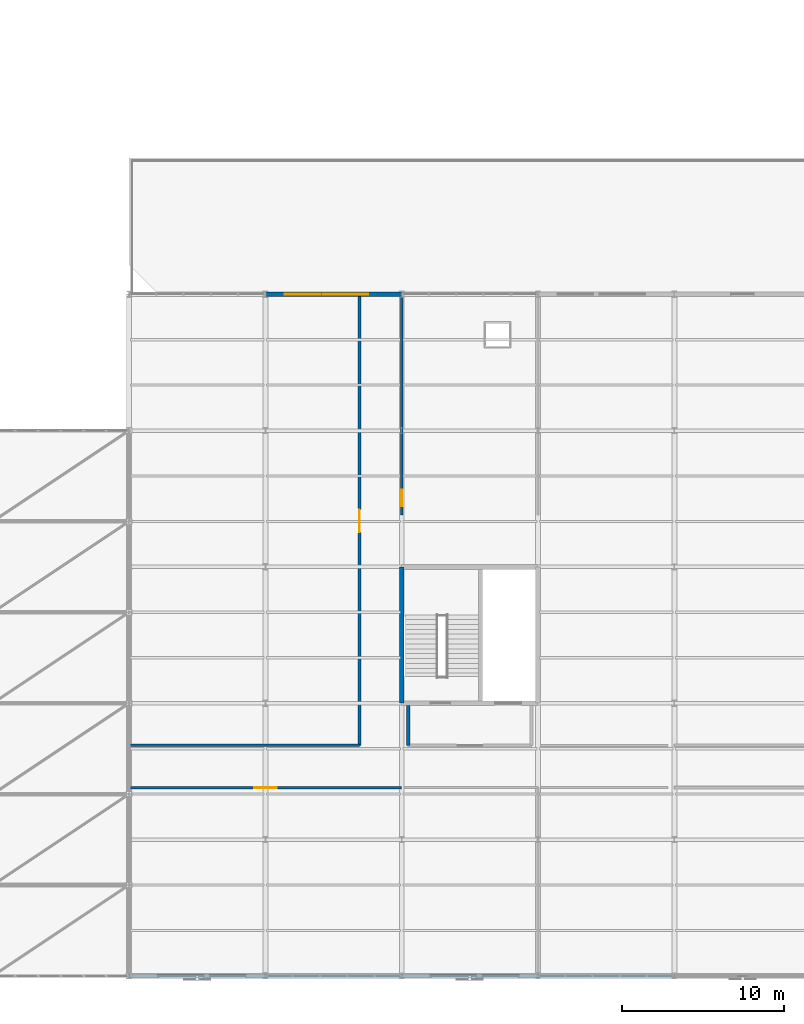
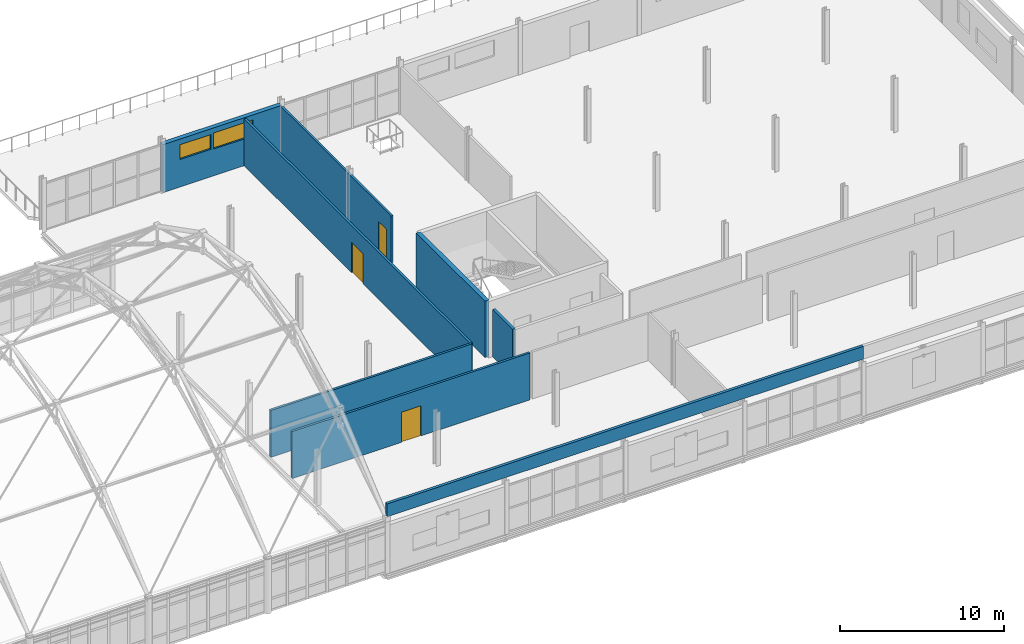
# One storey, part 156 of 184: 8 walls, 3 doors, 2 windows, 5 openings.
"""IFC4 building model written with IfcOpenShell, lengths in metres."""

import ifcopenshell
import ifcopenshell.guid

model = None  # the IFC model being written
_history = None  # IfcOwnerHistory: only IFC2X3 demands one
_inside = {}  # id of a spatial element -> (the spatial element, [elements in it])
_under = {}  # id of a project, library or spatial element -> (it, [spatial elements below it])
_declared = {}  # id of a project -> (the project, [libraries it declares])
_typed = {}  # id of a type object -> (the type object, [elements of that type])
_made_of = {}  # id of a material, layer set ... -> (it, [elements and type objects made of it])


def new_model(schema):
    """Start an empty IFC model of exactly this schema.

    Asked for "IFC4X3", IfcOpenShell would pick the latest addendum, in which some entities
    have other attributes; the version numbers below select the first issue.
    IFC2X3 requires an IfcOwnerHistory on every rooted entity: one is made here for all.
    """
    global model, _history
    if schema == "IFC4X3":
        model = ifcopenshell.file(schema_version=(4, 3, 0, 0))
    else:
        model = ifcopenshell.file(schema=schema)
    _inside.clear()
    _under.clear()
    _declared.clear()
    _typed.clear()
    _made_of.clear()
    _history = None
    if model.schema == "IFC2X3":
        org = make("IfcOrganization", Name="unknown")
        user = make(
            "IfcPersonAndOrganization",
            ThePerson=make("IfcPerson", FamilyName="unknown"),
            TheOrganization=org,
        )
        app = make(
            "IfcApplication",
            ApplicationDeveloper=org,
            Version="unknown",
            ApplicationFullName="unknown",
            ApplicationIdentifier="unknown",
        )
        _history = make(
            "IfcOwnerHistory",
            OwningUser=user,
            OwningApplication=app,
            ChangeAction="ADDED",
            CreationDate=0,
        )
    return model


def make(cls, **values):
    """One entity of the class cls with the attributes given. An attribute that is None is left unset."""
    return model.create_entity(
        cls, **{name: value for name, value in values.items() if value is not None}
    )


def rooted(cls, **values):
    """An entity with a GlobalId (a new one), such as an element, a storey or a relation."""
    return make(cls, GlobalId=ifcopenshell.guid.new(), OwnerHistory=_history, **values)


def si_unit(unit_type, name, prefix=None):
    """IfcSIUnit, for example si_unit("LENGTHUNIT", "METRE", prefix="MILLI")."""
    return make("IfcSIUnit", UnitType=unit_type, Prefix=prefix, Name=name)


def assignment(units):
    """IfcUnitAssignment: the units of a project."""
    return None if units is None else make("IfcUnitAssignment", Units=units)


def point(xyz):
    """IfcCartesianPoint."""
    return None if xyz is None else make("IfcCartesianPoint", Coordinates=xyz)


def direction(xyz):
    """IfcDirection."""
    return None if xyz is None else make("IfcDirection", DirectionRatios=xyz)


def frame(location, z_axis=None, x_axis=None):
    """IfcAxis2Placement3D, a coordinate frame: its origin and axes. An axis left out is left unset."""
    return make(
        "IfcAxis2Placement3D",
        Location=point(location),
        Axis=direction(z_axis),
        RefDirection=direction(x_axis),
    )


def frame_2d(location, x_axis=None):
    """IfcAxis2Placement2D, a coordinate frame in the plane: its origin and x axis."""
    return make(
        "IfcAxis2Placement2D", Location=point(location), RefDirection=direction(x_axis)
    )


def origin():
    """The frame at (0, 0, 0) with its axes left unset."""
    return frame((0.0, 0.0, 0.0))


def place(relative_to, where):
    """IfcLocalPlacement: puts the frame where relative to a parent placement (None: the world)."""
    return make(
        "IfcLocalPlacement", PlacementRelTo=relative_to, RelativePlacement=where
    )


def context(
    kind, dimensions, precision=None, world=None, true_north=None, identifier=None
):
    """IfcGeometricRepresentationContext, for example the 3D "Model" context."""
    return make(
        "IfcGeometricRepresentationContext",
        ContextIdentifier=identifier,
        ContextType=kind,
        CoordinateSpaceDimension=dimensions,
        Precision=precision,
        WorldCoordinateSystem=world,
        TrueNorth=true_north,
    )


def subcontext(parent, identifier, kind, view, scale=None):
    """IfcGeometricRepresentationSubContext, for example "Body" below "Model"."""
    return make(
        "IfcGeometricRepresentationSubContext",
        ContextIdentifier=identifier,
        ContextType=kind,
        ParentContext=parent,
        TargetScale=scale,
        TargetView=view,
    )


def project(units=None, contexts=None):
    """IfcProject with its units and contexts."""
    return rooted(
        "IfcProject",
        Name="project",
        RepresentationContexts=contexts,
        UnitsInContext=assignment(units),
    )


def spatial(cls, under=None, at=None, **own):
    """A site, building, storey or space (cls), placed at a placement, below another one or the project."""
    s = rooted(cls, ObjectPlacement=at, **own)
    if under is not None:
        _under.setdefault(under.id(), (under, []))[1].append(s)
    return s


def profile(cls, at=None, kind="AREA", **sizes):
    """A parametric profile (cls). Its sizes go by their IFC names, for example OverallWidth=200.0."""
    return make(cls, ProfileType=kind, Position=at, **sizes)


def rectangle(**sizes):
    """IfcRectangleProfileDef."""
    return profile("IfcRectangleProfileDef", **sizes)


def extrude(swept, where, along, depth):
    """IfcExtrudedAreaSolid: the profile swept, set in the frame where, extruded along a direction by depth."""
    return make(
        "IfcExtrudedAreaSolid",
        SweptArea=swept,
        Position=where,
        ExtrudedDirection=direction(along),
        Depth=depth,
    )


def shape(context_of_items, identifier, shape_type, items):
    """IfcShapeRepresentation: the items that make up one representation, for example the "Body"."""
    return make(
        "IfcShapeRepresentation",
        ContextOfItems=context_of_items,
        RepresentationIdentifier=identifier,
        RepresentationType=shape_type,
        Items=items,
    )


def material(Name=None, Category=None):
    """IfcMaterial."""
    return make("IfcMaterial", Name=Name, Category=Category)


def layer(
    of_material, thickness, ventilated=None, Name=None, Category=None, Priority=None
):
    """IfcMaterialLayer: one layer of a wall or slab, of a material (None: an air gap)."""
    return make(
        "IfcMaterialLayer",
        Material=of_material,
        LayerThickness=thickness,
        IsVentilated=ventilated,
        Name=Name,
        Category=Category,
        Priority=Priority,
    )


def layer_set(layers, Name=None):
    """IfcMaterialLayerSet."""
    return make("IfcMaterialLayerSet", MaterialLayers=layers, LayerSetName=Name)


def made_of(thing, what):
    """Note that an element or type object is made of a material, layer set ...; save() writes the relation."""
    if what is not None:
        _made_of.setdefault(what.id(), (what, []))[1].append(thing)
    return thing


def type_object(cls, material=None, **own):
    """A type object (cls), such as IfcWallType, which elements share."""
    return made_of(rooted(cls, **own), material)


def element(
    cls,
    number,
    at=None,
    inside=None,
    cuts=None,
    type_object=None,
    material=None,
    context=None,
    identifier="Body",
    shape_type=None,
    held_by="IfcProductDefinitionShape",
    body=None,
    shapes=None,
    **own,
):
    """One element of the class cls, such as IfcWall. Its Tag is "e" and its number.

    at: its placement. inside: the storey or other place that contains it. cuts: it is an
    opening in that element (IfcRelVoidsElement). A single representation is given by context,
    identifier, shape_type and body (its items); several are given by shapes. held_by: the class
    of the entity that holds the representations. save() writes the other relations.
    """
    e = rooted(cls, Tag="e%d" % number, ObjectPlacement=at, **own)
    if body is not None:
        shapes = [shape(context, identifier, shape_type, body)]
    if shapes is not None:
        e.Representation = make(held_by, Representations=shapes)
    if inside is not None:
        _inside.setdefault(inside.id(), (inside, []))[1].append(e)
    if cuts is not None:
        rooted(
            "IfcRelVoidsElement", RelatingBuildingElement=cuts, RelatedOpeningElement=e
        )
    if type_object is not None:
        _typed.setdefault(type_object.id(), (type_object, []))[1].append(e)
    return made_of(e, material)


def fill(opening, filler):
    """IfcRelFillsElement: the door or window that sits in an opening."""
    return rooted(
        "IfcRelFillsElement",
        RelatingOpeningElement=opening,
        RelatedBuildingElement=filler,
    )


def aggregate(whole, parts):
    """IfcRelAggregates: a whole, such as a stair, and the parts it consists of."""
    return rooted("IfcRelAggregates", RelatingObject=whole, RelatedObjects=parts)


def save(model, path):
    """Write the relations noted so far, then the file.

    IfcRelAggregates (storeys below a building ...), IfcRelContainedInSpatialStructure (elements
    in a storey), IfcRelDefinesByType, IfcRelAssociatesMaterial and IfcRelDeclares: one each for
    every whole, place, type object, material and project.
    """
    for whole, parts in _under.values():
        aggregate(whole, parts)
    for where, things in _inside.values():
        rooted(
            "IfcRelContainedInSpatialStructure",
            RelatedElements=things,
            RelatingStructure=where,
        )
    for kind, things in _typed.values():
        rooted("IfcRelDefinesByType", RelatedObjects=things, RelatingType=kind)
    for what, things in _made_of.values():
        rooted("IfcRelAssociatesMaterial", RelatedObjects=things, RelatingMaterial=what)
    for by, libraries in _declared.values():
        rooted("IfcRelDeclares", RelatingContext=by, RelatedDefinitions=libraries)
    model.write(path)


model = new_model("IFC4")

# Units and contexts
model_context = context("Model", 3, precision=1e-05, world=origin(), true_north=direction((0.0, 1.0)))
body_context = subcontext(model_context, "Body", "Model", "MODEL_VIEW")
ifc_project = project(units=[si_unit("LENGTHUNIT", "METRE"), si_unit("AREAUNIT", "SQUARE_METRE"), si_unit("VOLUMEUNIT", "CUBIC_METRE"), si_unit("PLANEANGLEUNIT", "RADIAN"), si_unit("MASSUNIT", "GRAM", prefix="KILO")], contexts=[model_context])

# Site, building, storey
site_placement = place(None, origin())
site = spatial("IfcSite", under=ifc_project, at=site_placement, CompositionType="ELEMENT")
building_placement = place(site_placement, origin())
building = spatial("IfcBuilding", under=site, at=building_placement, Name="Qalvenar Corner Mobility Hub", CompositionType="ELEMENT")
storey_placement = place(building_placement, frame((0.0, 0.0, 9.0)))
storey = spatial("IfcBuildingStorey", under=building, at=storey_placement, Name="L02", CompositionType="ELEMENT", Elevation=9.0)

# Wall
ifc_material_1 = material(Name="Concrete C40/50", Category="concrete")
ifc_layer_1 = layer(ifc_material_1, 0.300048828125)
ifc_layer_set_1 = layer_set([ifc_layer_1], Name="Concrete C40/50")
wall_type_1 = type_object("IfcWallType", Name="WL-CORE300", PredefinedType="SHEAR", material=ifc_layer_set_1)
wall_1_placement = place(storey_placement, frame((126.0, 25.199951171875, 0.0), z_axis=(0.0, 0.0, 1.0), x_axis=(0.0, -1.0, 0.0)))
element("IfcWall", 1, at=wall_1_placement, inside=storey, type_object=wall_type_1, Name="Core Shear Wall C6-L02-W", PredefinedType="SHEAR", context=body_context, shape_type="SweptSolid", body=[
    extrude(rectangle(XDim=8.39990234375, YDim=0.300048828125, at=frame_2d((4.199951171875, 0.0))), origin(), (0.0, 0.0, 1.0), 4.199951171875),
])

# Wall, openings, windows
ifc_material_2 = material(Name="Lahori Fired Clay Brick Masonry", Category="masonry")
ifc_layer_2 = layer(ifc_material_2, 0.300048828125)
ifc_layer_set_2 = layer_set([ifc_layer_2], Name="Lahori Fired Clay Brick Masonry")
wall_type_2 = type_object("IfcWallType", Name="WL-EXT-BRK300", PredefinedType="STANDARD", material=ifc_layer_set_2)
wall_2_placement = place(storey_placement, frame((126.0, 42.0, 0.0), z_axis=(0.0, 0.0, 1.0), x_axis=(-1.0, 0.0, 0.0)))
wall_2 = element("IfcWall", 2, at=wall_2_placement, inside=storey, type_object=wall_type_2, Name="Exterior Facade Wall EW-V6-L02-N1", PredefinedType="STANDARD", context=body_context, shape_type="SweptSolid", body=[
    extrude(rectangle(XDim=8.39990234375, YDim=0.300048828125, at=frame_2d((4.199951171875, 0.0))), origin(), (0.0, 0.0, 1.0), 3.580078125),
])
opening_1_placement = place(wall_2_placement, frame((2.050048828125, 0.0, 2.0)))
opening_1 = element("IfcOpeningElement", 3, at=opening_1_placement, cuts=wall_2, Name="Opening W-20", PredefinedType="OPENING", context=body_context, shape_type="SweptSolid", body=[
    extrude(rectangle(XDim=2.800048828125, YDim=1.199951171875, at=frame_2d((1.39990234375, 0.60009765625))), frame((0.0, 0.16015625, 0.0), z_axis=(0.0, -1.0, 0.0), x_axis=(1.0, 0.0, 0.0)), (0.0, 0.0, 1.0), 0.320068359375),
])
opening_2_placement = place(wall_2_placement, frame((5.0, 0.0, 2.050048828125)))
opening_2 = element("IfcOpeningElement", 4, at=opening_2_placement, cuts=wall_2, Name="Opening W-21", PredefinedType="OPENING", context=body_context, shape_type="SweptSolid", body=[
    extrude(rectangle(XDim=2.199951171875, YDim=1.10009765625, at=frame_2d((1.10009765625, 0.550048828125))), frame((0.0, 0.16015625, 0.0), z_axis=(0.0, -1.0, 0.0), x_axis=(1.0, 0.0, 0.0)), (0.0, 0.0, 1.0), 0.320068359375),
])
ifc_material_3 = material(Name="Solar-Control Double-Glazed Bronze Window", Category="glass")
window_type_1 = type_object("IfcWindowType", Name="WN-CLR-220X110", PartitioningType="DOUBLE_PANEL_HORIZONTAL", PredefinedType="WINDOW", material=ifc_material_3)
window_1_placement = place(opening_2_placement, origin())
window_1 = element("IfcWindow", 5, at=window_1_placement, inside=storey, type_object=window_type_1, Name="Facade Window EW-V6-L02-N1-W2", OverallHeight=1.10009765625, OverallWidth=2.199951171875, PartitioningType="SINGLE_PANEL", PredefinedType="WINDOW", context=body_context, shape_type="SweptSolid", body=[
    extrude(rectangle(XDim=2.199951171875, YDim=1.10009765625, at=frame_2d((1.10009765625, 0.550048828125))), frame((0.0, 0.030029296875, 0.0), z_axis=(0.0, -1.0, 0.0), x_axis=(1.0, 0.0, 0.0)), (0.0, 0.0, 1.0), 0.06005859375),
])
fill(opening_2, window_1)
window_type_2 = type_object("IfcWindowType", Name="WN-CLR-280X120", PartitioningType="TRIPLE_PANEL_VERTICAL", PredefinedType="WINDOW", material=ifc_material_3)
window_2_placement = place(opening_1_placement, origin())
window_2 = element("IfcWindow", 6, at=window_2_placement, inside=storey, type_object=window_type_2, Name="Facade Window EW-V6-L02-N1-W1", OverallHeight=1.199951171875, OverallWidth=2.800048828125, PartitioningType="SINGLE_PANEL", PredefinedType="WINDOW", context=body_context, shape_type="SweptSolid", body=[
    extrude(rectangle(XDim=2.800048828125, YDim=1.199951171875, at=frame_2d((1.39990234375, 0.60009765625))), frame((0.0, 0.030029296875, 0.0), z_axis=(0.0, -1.0, 0.0), x_axis=(1.0, 0.0, 0.0)), (0.0, 0.0, 1.0), 0.06005859375),
])
fill(opening_1, window_2)

# Wall, opening, door
ifc_material_4 = material(Name="Acoustic Gypsum Stud Partition", Category="masonry")
ifc_layer_3 = layer(ifc_material_4, 0.139892578125)
ifc_layer_set_3 = layer_set([ifc_layer_3], Name="Acoustic Gypsum Stud Partition")
wall_type_3 = type_object("IfcWallType", Name="WL-INT140", PredefinedType="PARTITIONING", material=ifc_layer_set_3)
wall_3_placement = place(storey_placement, frame((126.0, 28.39990234375, 0.0), z_axis=(0.0, 0.0, 1.0), x_axis=(0.0, 1.0, 0.0)))
wall_3 = element("IfcWall", 7, at=wall_3_placement, inside=storey, type_object=wall_type_3, Name="Interior Partition PRT-L02-042", PredefinedType="PARTITIONING", context=body_context, shape_type="SweptSolid", body=[
    extrude(rectangle(XDim=13.445068359375, YDim=0.139892578125, at=frame_2d((6.72265625, 0.0))), origin(), (0.0, 0.0, 1.0), 3.5),
])
opening_3_placement = place(wall_3_placement, frame((0.550048828125, 0.0, 0.0)))
opening_3 = element("IfcOpeningElement", 8, at=opening_3_placement, cuts=wall_3, Name="Opening DR-198", PredefinedType="OPENING", context=body_context, shape_type="SweptSolid", body=[
    extrude(rectangle(XDim=1.0, YDim=2.14990234375, at=frame_2d((0.5, 1.074951171875))), frame((0.0, 0.080078125, 0.0), z_axis=(0.0, -1.0, 0.0), x_axis=(1.0, 0.0, 0.0)), (0.0, 0.0, 1.0), 0.159912109375),
])
ifc_material_5 = material(Name="Hardwood Teak Office Door FD30", Category="wood")
door_type_1 = type_object("IfcDoorType", Name="DR-INT-OFF100", OperationType="NOTDEFINED", PredefinedType="DOOR", material=ifc_material_5)
door_1_placement = place(opening_3_placement, origin())
door_1 = element("IfcDoor", 9, at=door_1_placement, inside=storey, type_object=door_type_1, Name="DR-198 Staff Tea Pantry and Rest Room Door", OperationType="SINGLE_SWING_LEFT", OverallHeight=2.14990234375, OverallWidth=1.0, PredefinedType="DOOR", context=body_context, shape_type="SweptSolid", body=[
    extrude(rectangle(XDim=1.0, YDim=2.14990234375, at=frame_2d((0.5, 1.074951171875))), frame((0.0, 0.02490234375, 0.0), z_axis=(0.0, -1.0, 0.0), x_axis=(1.0, 0.0, 0.0)), (0.0, 0.0, 1.0), 0.050048828125),
])
fill(opening_3, door_1)

ifc_material_6 = material(Name="Plastered Clay Brick Partition", Category="masonry")
ifc_layer_4 = layer(ifc_material_6, 0.159912109375)
ifc_layer_set_4 = layer_set([ifc_layer_4], Name="Plastered Clay Brick Partition")
wall_type_4 = type_object("IfcWallType", Name="WL-INT160", PredefinedType="PARTITIONING", material=ifc_layer_set_4)
wall_4_placement = place(storey_placement, frame((109.199951171875, 11.60009765625, 0.0), z_axis=(0.0, 0.0, 1.0), x_axis=(1.0, 0.0, 0.0)))
wall_4 = element("IfcWall", 10, at=wall_4_placement, inside=storey, type_object=wall_type_4, Name="Interior Partition PRT-L02-009", PredefinedType="PARTITIONING", context=body_context, shape_type="SweptSolid", body=[
    extrude(rectangle(XDim=16.800048828125, YDim=0.159912109375, at=frame_2d((8.39990234375, 0.0))), origin(), (0.0, 0.0, 1.0), 3.5),
])
opening_4_placement = place(wall_4_placement, frame((7.699951171875, 0.0, 0.0)))
opening_4 = element("IfcOpeningElement", 11, at=opening_4_placement, cuts=wall_4, Name="Opening DR-185", PredefinedType="OPENING", context=body_context, shape_type="SweptSolid", body=[
    extrude(rectangle(XDim=1.39990234375, YDim=2.25, at=frame_2d((0.699951171875, 1.125))), frame((0.0, 0.08984375, 0.0), z_axis=(0.0, -1.0, 0.0), x_axis=(1.0, 0.0, 0.0)), (0.0, 0.0, 1.0), 0.179931640625),
])
ifc_material_7 = material(Name="Hardwood Teak Acoustic Double Door", Category="wood")
door_type_2 = type_object("IfcDoorType", Name="DR-INT-PUB140", OperationType="DOUBLE_DOOR_SINGLE_SWING", PredefinedType="DOOR", material=ifc_material_7)
door_2_placement = place(opening_4_placement, origin())
door_2 = element("IfcDoor", 12, at=door_2_placement, inside=storey, type_object=door_type_2, Name="DR-185 Route Scheduling Office Door", OperationType="DOUBLE_DOOR_SINGLE_SWING", OverallHeight=2.25, OverallWidth=1.39990234375, PredefinedType="DOOR", context=body_context, shape_type="SweptSolid", body=[
    extrude(rectangle(XDim=1.39990234375, YDim=2.25, at=frame_2d((0.699951171875, 1.125))), frame((0.0, 0.02490234375, 0.0), z_axis=(0.0, -1.0, 0.0), x_axis=(1.0, 0.0, 0.0)), (0.0, 0.0, 1.0), 0.050048828125),
])
fill(opening_4, door_2)

# Wall
wall_5_placement = place(storey_placement, frame((109.199951171875, 14.199951171875, 0.0), z_axis=(0.0, 0.0, 1.0), x_axis=(1.0, 0.0, 0.0)))
element("IfcWall", 13, at=wall_5_placement, inside=storey, type_object=wall_type_4, Name="Interior Partition PRT-L02-013", PredefinedType="PARTITIONING", context=body_context, shape_type="SweptSolid", body=[
    extrude(rectangle(XDim=14.199951171875, YDim=0.159912109375, at=frame_2d((7.10009765625, 0.0))), origin(), (0.0, 0.0, 1.0), 3.5),
])

# Wall, opening, door
wall_6_placement = place(storey_placement, frame((123.39990234375, 14.199951171875, 0.0), z_axis=(0.0, 0.0, 1.0), x_axis=(0.0, 1.0, 0.0)))
wall_6 = element("IfcWall", 14, at=wall_6_placement, inside=storey, type_object=wall_type_4, Name="Interior Partition PRT-L02-041", PredefinedType="PARTITIONING", context=body_context, shape_type="SweptSolid", body=[
    extrude(rectangle(XDim=27.64501953125, YDim=0.159912109375, at=frame_2d((13.822509765625, 0.0))), origin(), (0.0, 0.0, 1.0), 3.5),
])
opening_5_placement = place(wall_6_placement, frame((13.123046875, 0.0, 0.0)))
opening_5 = element("IfcOpeningElement", 15, at=opening_5_placement, cuts=wall_6, Name="Opening DR-197", PredefinedType="OPENING", context=body_context, shape_type="SweptSolid", body=[
    extrude(rectangle(XDim=1.39990234375, YDim=2.25, at=frame_2d((0.699951171875, 1.125))), frame((0.0, 0.08984375, 0.0), z_axis=(0.0, -1.0, 0.0), x_axis=(1.0, 0.0, 0.0)), (0.0, 0.0, 1.0), 0.179931640625),
])
door_3_placement = place(opening_5_placement, origin())
door_3 = element("IfcDoor", 16, at=door_3_placement, inside=storey, type_object=door_type_2, Name="DR-197 Bus and EV Fleet Engineering Offices Door", OperationType="DOUBLE_DOOR_SINGLE_SWING", OverallHeight=2.25, OverallWidth=1.39990234375, PredefinedType="DOOR", context=body_context, shape_type="SweptSolid", body=[
    extrude(rectangle(XDim=1.39990234375, YDim=2.25, at=frame_2d((0.699951171875, 1.125))), frame((0.0, 0.02490234375, 0.0), z_axis=(0.0, -1.0, 0.0), x_axis=(1.0, 0.0, 0.0)), (0.0, 0.0, 1.0), 0.050048828125),
])
fill(opening_5, door_3)

# Walls
ifc_material_8 = material(Name="Concrete Blockwork Masonry", Category="masonry")
ifc_layer_5 = layer(ifc_material_8, 0.199951171875)
ifc_layer_set_5 = layer_set([ifc_layer_5], Name="Concrete Blockwork Masonry")
wall_type_5 = type_object("IfcWallType", Name="WL-LOBBY200", PredefinedType="PARTITIONING", material=ifc_layer_set_5)
wall_7_placement = place(storey_placement, frame((126.39990234375, 14.199951171875, 0.0), z_axis=(0.0, 0.0, 1.0), x_axis=(0.0, 1.0, 0.0)))
element("IfcWall", 17, at=wall_7_placement, inside=storey, type_object=wall_type_5, Name="Interior Partition WL-LOB-C6-L02-W", PredefinedType="PARTITIONING", context=body_context, shape_type="SweptSolid", body=[
    extrude(rectangle(XDim=2.449951171875, YDim=0.199951171875, at=frame_2d((1.22509765625, 0.0))), origin(), (0.0, 0.0, 1.0), 3.52001953125),
])
ifc_material_9 = material(Name="Coping Brick Parapet Masonry", Category="masonry")
ifc_layer_6 = layer(ifc_material_9, 0.199951171875)
ifc_layer_set_6 = layer_set([ifc_layer_6], Name="Coping Brick Parapet Masonry")
wall_type_6 = type_object("IfcWallType", Name="WL-PAR200", PredefinedType="PARAPET", material=ifc_layer_set_6)
wall_8_placement = place(storey_placement, frame((109.199951171875, 0.0, 4.199951171875), z_axis=(0.0, 0.0, 1.0), x_axis=(1.0, 0.0, 0.0)))
element("IfcWall", 18, at=wall_8_placement, inside=storey, type_object=wall_type_6, Name="Roof Parapet Wall PW-07", PredefinedType="PARAPET", context=body_context, shape_type="SweptSolid", body=[
    extrude(rectangle(XDim=33.60009765625, YDim=0.199951171875, at=frame_2d((16.800048828125, 0.0))), origin(), (0.0, 0.0, 1.0), 0.949951171875),
])

save(model, "model.ifc")
